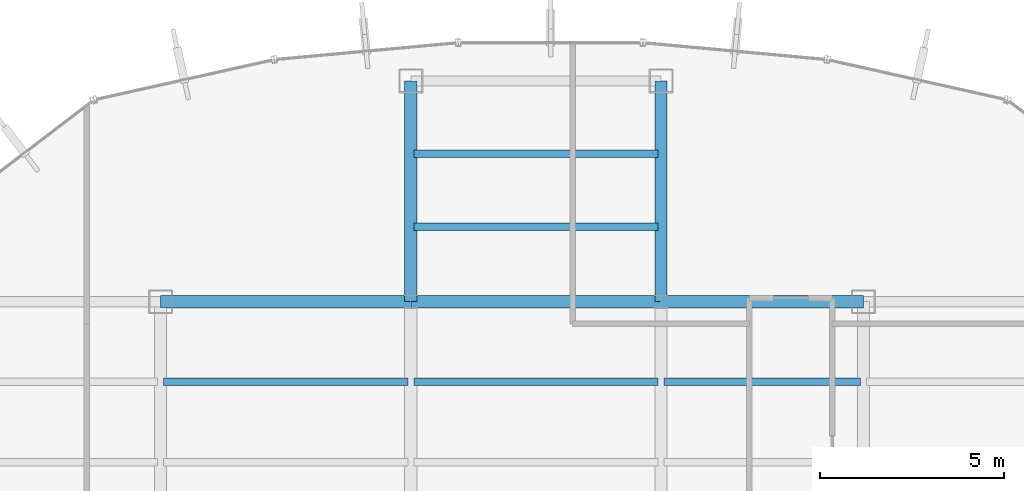
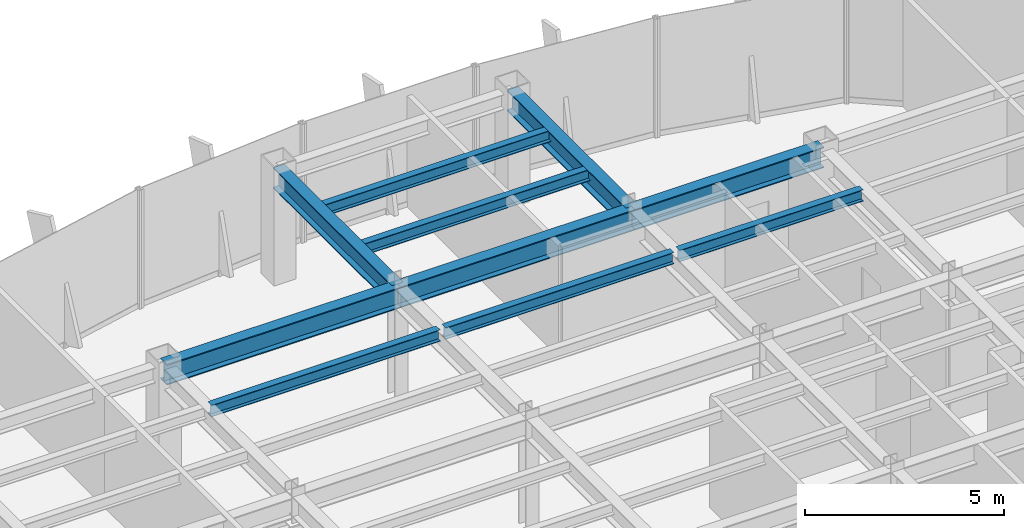
# One storey, part 9 of 19: 10 beams.
"""IFC4 building model written with IfcOpenShell, lengths in metres."""

from ifc_helpers import new_model, si_unit, derived_unit, direction, frame, origin, origin_2d, place, context, subcontext, project, spatial, i_section, extrude, source, transform, mapped, material, material_profile, profile_set, type_object, element, save


model = new_model("IFC4")

# Units and contexts
model_context = context("Model", 3, precision=1e-05, world=origin(), true_north=direction((0.0, 1.0)))
body_context = subcontext(model_context, "Body", "Model", "MODEL_VIEW")
ifc_project = project(units=[si_unit("LENGTHUNIT", "METRE"), si_unit("AREAUNIT", "SQUARE_METRE"), si_unit("VOLUMEUNIT", "CUBIC_METRE"), si_unit("PLANEANGLEUNIT", "RADIAN"), si_unit("MASSUNIT", "GRAM", prefix="KILO"), derived_unit("THERMALTRANSMITTANCEUNIT", [(si_unit("POWERUNIT", "WATT"), 1), (si_unit("LENGTHUNIT", "METRE"), -2), (si_unit("THERMODYNAMICTEMPERATUREUNIT", "KELVIN"), -1)])], contexts=[model_context])

# Site, building, storey
site_placement = place(None, origin())
site = spatial("IfcSite", under=ifc_project, at=site_placement, CompositionType="ELEMENT")
building_placement = place(site_placement, origin())
building = spatial("IfcBuilding", under=site, at=building_placement, Name="Skarnbrae Concourse Arena and Tower", CompositionType="ELEMENT")
storey_placement = place(building_placement, frame((0.0, 0.0, 180.75)))
storey = spatial("IfcBuildingStorey", under=building, at=storey_placement, Name="L46", CompositionType="ELEMENT", Elevation=180.75)

# Beams
ifc_material = material(Name="Steel CSA G40.21 350W", Category="steel")
ifc_material_profile_1 = material_profile(ifc_material, i_section(OverallWidth=0.3291015625, OverallDepth=0.635009765625, WebThickness=0.017822265625, FlangeThickness=0.031005859375, at=origin_2d()), Name="W610X241")
ifc_profile_set_1 = profile_set([ifc_material_profile_1], Name="Steel CSA G40.21 350W")
beam_type_1 = type_object("IfcBeamType", Name="BM-GIRD-W610X241", PredefinedType="BEAM", material=ifc_profile_set_1)
shared_shape_1 = source(origin(), body_context, "Body", "SweptSolid", [
    extrude(i_section(OverallWidth=0.3291015625, OverallDepth=0.635009765625, WebThickness=0.017822265625, FlangeThickness=0.031005859375, at=origin_2d()), origin(), (0.0, 0.0, 1.0), 6.800048828125),
])
for number, where, z_axis, x_axis, name in (
    (1, (14.39990234375, 34.39990234375, 3.08251953125), (1.0, 0.0, 0.0), (0.0, 1.0, 0.0), "L46 Primary E-W girder Y34.4-2"),
    (2, (21.199951171875, 34.39990234375, 3.08251953125), (1.0, 0.0, 0.0), (0.0, 1.0, 0.0), "L46 Primary E-W girder Y34.4-3"),
):
    element("IfcBeam", number, at=place(storey_placement, frame(where, z_axis=z_axis, x_axis=x_axis)), inside=storey, type_object=beam_type_1, Name=name, PredefinedType="BEAM", context=body_context, shape_type="MappedRepresentation", body=[
        mapped(shared_shape_1, transform((0.0, 0.0, 0.0))),
    ])
shared_shape_2 = source(origin(), body_context, "Body", "SweptSolid", [
    extrude(i_section(OverallWidth=0.3291015625, OverallDepth=0.635009765625, WebThickness=0.017822265625, FlangeThickness=0.031005859375, at=origin_2d()), origin(), (0.0, 0.0, 1.0), 5.5),
])
beam_1_placement = place(storey_placement, frame((28.0, 34.39990234375, 3.08251953125), z_axis=(1.0, 0.0, 0.0), x_axis=(0.0, 1.0, 0.0)))
element("IfcBeam", 3, at=beam_1_placement, inside=storey, type_object=beam_type_1, Name="L46 Primary E-W girder Y34.4-4", PredefinedType="BEAM", context=body_context, shape_type="MappedRepresentation", body=[
    mapped(shared_shape_2, transform((0.0, 0.0, 0.0))),
])
shared_shape_3 = source(origin(), body_context, "Body", "SweptSolid", [
    extrude(i_section(OverallWidth=0.3291015625, OverallDepth=0.635009765625, WebThickness=0.017822265625, FlangeThickness=0.031005859375, at=origin_2d()), origin(), (0.0, 0.0, 1.0), 6.0),
])
for number, where, z_axis, x_axis, name in (
    (4, (21.199951171875, 34.39990234375, 3.08251953125), (0.0, 1.0, 0.0), (-1.0, 0.0, 0.0), "L46 Primary N-S girder X21.2-4"),
    (5, (28.0, 34.39990234375, 3.08251953125), (0.0, 1.0, 0.0), (-1.0, 0.0, 0.0), "L46 Primary N-S girder X28.0-4"),
):
    element("IfcBeam", number, at=place(storey_placement, frame(where, z_axis=z_axis, x_axis=x_axis)), inside=storey, type_object=beam_type_1, Name=name, PredefinedType="BEAM", context=body_context, shape_type="MappedRepresentation", body=[
        mapped(shared_shape_3, transform((0.0, 0.0, 0.0))),
    ])
ifc_material_profile_2 = material_profile(ifc_material, i_section(OverallWidth=0.205078125, OverallDepth=0.35400390625, WebThickness=0.009521484375, FlangeThickness=0.016845703125, at=origin_2d()), Name="W360X79")
ifc_profile_set_2 = profile_set([ifc_material_profile_2], Name="Steel CSA G40.21 350W")
beam_type_2 = type_object("IfcBeamType", Name="BM-JOIST-W360X79", PredefinedType="JOIST", material=ifc_profile_set_2)
shared_shape_4 = source(origin(), body_context, "Body", "SweptSolid", [
    extrude(i_section(OverallWidth=0.205078125, OverallDepth=0.35400390625, WebThickness=0.009521484375, FlangeThickness=0.016845703125, at=origin_2d()), origin(), (0.0, 0.0, 1.0), 6.64013671875),
])
beam_2_placement = place(storey_placement, frame((14.47998046875, 32.221923828125, 3.222900390625), z_axis=(1.0, 0.0, 0.0), x_axis=(0.0, 1.0, 0.0)))
element("IfcBeam", 6, at=beam_2_placement, inside=storey, type_object=beam_type_2, Name="L46 Secondary floor joist 3.2.2", PredefinedType="JOIST", context=body_context, shape_type="MappedRepresentation", body=[
    mapped(shared_shape_4, transform((0.0, 0.0, 0.0))),
])
shared_shape_5 = source(origin(), body_context, "Body", "SweptSolid", [
    extrude(i_section(OverallWidth=0.205078125, OverallDepth=0.35400390625, WebThickness=0.009521484375, FlangeThickness=0.016845703125, at=origin_2d()), origin(), (0.0, 0.0, 1.0), 6.639892578125),
])
for number, where, z_axis, x_axis, name in (
    (7, (21.280029296875, 32.221923828125, 3.222900390625), (1.0, 0.0, 0.0), (0.0, 1.0, 0.0), "L46 Secondary floor joist 3.2.3"),
    (8, (21.280029296875, 36.43994140625, 3.222900390625), (1.0, 0.0, 0.0), (0.0, 1.0, 0.0), "L46 Secondary floor joist 4.1.1"),
    (9, (21.280029296875, 38.419921875, 3.222900390625), (1.0, 0.0, 0.0), (0.0, 1.0, 0.0), "L46 Secondary floor joist 4.2.1"),
):
    element("IfcBeam", number, at=place(storey_placement, frame(where, z_axis=z_axis, x_axis=x_axis)), inside=storey, type_object=beam_type_2, Name=name, PredefinedType="JOIST", context=body_context, shape_type="MappedRepresentation", body=[
        mapped(shared_shape_5, transform((0.0, 0.0, 0.0))),
    ])
shared_shape_6 = source(origin(), body_context, "Body", "SweptSolid", [
    extrude(i_section(OverallWidth=0.205078125, OverallDepth=0.35400390625, WebThickness=0.009521484375, FlangeThickness=0.016845703125, at=origin_2d()), origin(), (0.0, 0.0, 1.0), 5.33984375),
])
beam_3_placement = place(storey_placement, frame((28.080078125, 32.221923828125, 3.222900390625), z_axis=(1.0, 0.0, 0.0), x_axis=(0.0, 1.0, 0.0)))
element("IfcBeam", 10, at=beam_3_placement, inside=storey, type_object=beam_type_2, Name="L46 Secondary floor joist 3.2.4", PredefinedType="JOIST", context=body_context, shape_type="MappedRepresentation", body=[
    mapped(shared_shape_6, transform((0.0, 0.0, 0.0))),
])

save(model, "model.ifc")
